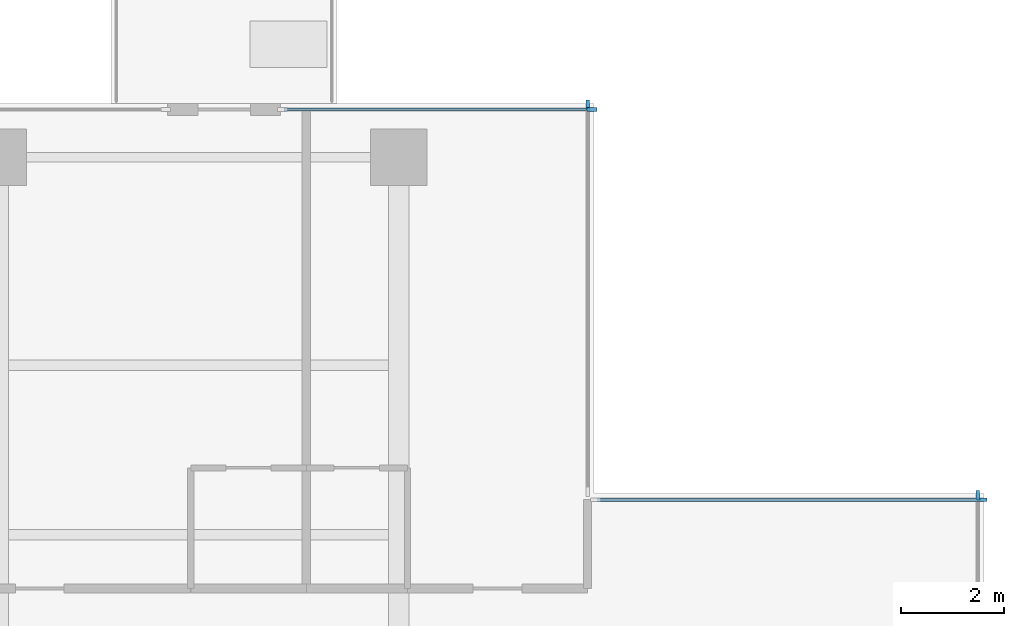
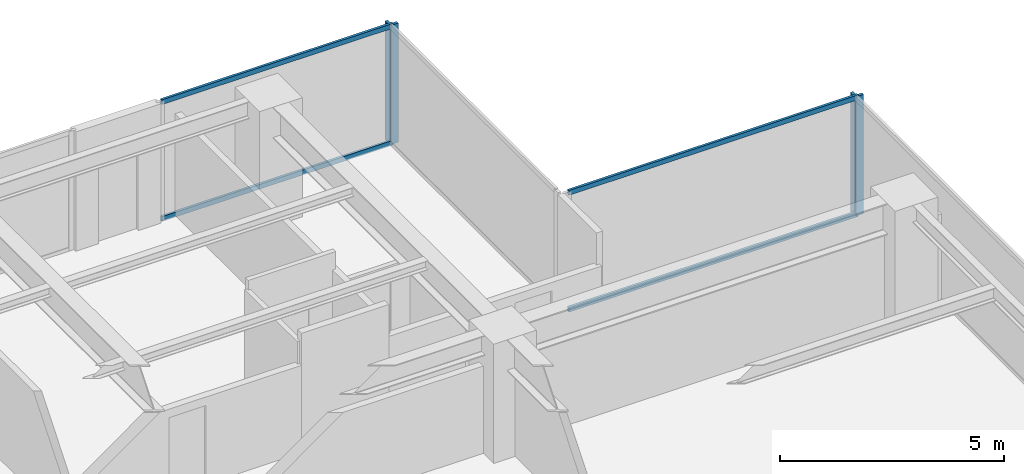
# One storey, part 5 of 15: 8 members, 4 elements without a shape of their own.
"""IFC4 building model written with IfcOpenShell, lengths in metres."""

from ifc_helpers import new_model, si_unit, direction, frame, origin, origin_2d, place, context, subcontext, project, spatial, rectangle, extrude, material, layer, layer_set, material_profile, profile_set, type_object, element, aggregate, save


model = new_model("IFC4")

# Units and contexts
model_context = context("Model", 3, precision=1e-05, world=origin(), true_north=direction((0.0, 1.0)))
body_context = subcontext(model_context, "Body", "Model", "MODEL_VIEW")
ifc_project = project(units=[si_unit("LENGTHUNIT", "METRE"), si_unit("AREAUNIT", "SQUARE_METRE"), si_unit("VOLUMEUNIT", "CUBIC_METRE"), si_unit("PLANEANGLEUNIT", "RADIAN"), si_unit("MASSUNIT", "GRAM", prefix="KILO")], contexts=[model_context])

# Site, building, storey
site_placement = place(None, origin())
site = spatial("IfcSite", under=ifc_project, at=site_placement, CompositionType="ELEMENT")
building_placement = place(site_placement, origin())
building = spatial("IfcBuilding", under=site, at=building_placement, Name="Qalmaran Belvedere Hotel", CompositionType="ELEMENT")
storey_placement = place(building_placement, frame((0.0, 0.0, 173.60009765625)))
storey = spatial("IfcBuildingStorey", under=building, at=storey_placement, Name="L44", CompositionType="ELEMENT", Elevation=173.60009765625)

# Curtain wall, member
ifc_material = material(Name="Anodised Bronze Aluminium", Category="aluminium")
ifc_layer = layer(ifc_material, 0.195068359375, Name="Anodised Bronze Aluminium")
ifc_layer_set = layer_set([ifc_layer], Name="Anodised Bronze Aluminium")
curtain_wall_type = type_object("IfcCurtainWallType", Name="CW4-TOWER-HIGHMID", PredefinedType="NOTDEFINED", material=ifc_layer_set)
curtain_wall_1_placement = place(storey_placement, origin())
curtain_wall_1 = element("IfcCurtainWall", 1, at=curtain_wall_1_placement, inside=storey, type_object=curtain_wall_type, Name="L44 Curtain Wall CW4", PredefinedType="NOTDEFINED")
ifc_material_profile_1 = material_profile(ifc_material, rectangle(XDim=0.070068359375, YDim=0.18994140625, at=origin_2d()), Name="CWM70X190")
ifc_profile_set_1 = profile_set([ifc_material_profile_1], Name="Anodised Bronze Aluminium")
member_type_1 = type_object("IfcMemberType", Name="CWM-70X190", PredefinedType="MULLION", material=ifc_profile_set_1)
member_1_placement = place(storey_placement, frame((56.080078125, 36.864990234375, 0.0), z_axis=(0.0, 0.0, 1.0), x_axis=(-1.0, 0.0, 0.0)))
member_1 = element("IfcMember", 2, at=member_1_placement, type_object=member_type_1, Name="CW4 mullion 4", PredefinedType="MULLION", context=body_context, shape_type="SweptSolid", body=[
    extrude(rectangle(XDim=0.070068359375, YDim=0.18994140625, at=origin_2d()), origin(), (0.0, 0.0, 1.0), 3.25),
])
aggregate(curtain_wall_1, [member_1])

curtain_wall_2_placement = place(storey_placement, origin())
curtain_wall_2 = element("IfcCurtainWall", 3, at=curtain_wall_2_placement, inside=storey, type_object=curtain_wall_type, Name="L44 Curtain Wall CW4", PredefinedType="NOTDEFINED")
member_2_placement = place(storey_placement, frame((56.1650390625, 36.780029296875, 0.0), z_axis=(0.0, 0.0, 1.0), x_axis=(0.0, -1.0, 0.0)))
member_2 = element("IfcMember", 4, at=member_2_placement, type_object=member_type_1, Name="CW4 mullion 1", PredefinedType="MULLION", context=body_context, shape_type="SweptSolid", body=[
    extrude(rectangle(XDim=0.070068359375, YDim=0.18994140625, at=origin_2d()), origin(), (0.0, 0.0, 1.0), 3.25),
])

curtain_wall_3_placement = place(storey_placement, origin())
curtain_wall_3 = element("IfcCurtainWall", 5, at=curtain_wall_3_placement, inside=storey, type_object=curtain_wall_type, Name="L44 Curtain Wall CW4", PredefinedType="NOTDEFINED")
member_3_placement = place(storey_placement, frame((48.47998046875, 44.465087890625, 0.0), z_axis=(0.0, 0.0, 1.0), x_axis=(-1.0, 0.0, 0.0)))
member_3 = element("IfcMember", 6, at=member_3_placement, type_object=member_type_1, Name="CW4 mullion 2", PredefinedType="MULLION", context=body_context, shape_type="SweptSolid", body=[
    extrude(rectangle(XDim=0.070068359375, YDim=0.18994140625, at=origin_2d()), origin(), (0.0, 0.0, 1.0), 3.25),
])
aggregate(curtain_wall_3, [member_3])

curtain_wall_4_placement = place(storey_placement, origin())
curtain_wall_4 = element("IfcCurtainWall", 7, at=curtain_wall_4_placement, inside=storey, type_object=curtain_wall_type, Name="L44 Curtain Wall CW4", PredefinedType="NOTDEFINED")
member_4_placement = place(storey_placement, frame((48.56494140625, 44.3798828125, 0.0), z_axis=(0.0, 0.0, 1.0), x_axis=(0.0, -1.0, 0.0)))
member_4 = element("IfcMember", 8, at=member_4_placement, type_object=member_type_1, Name="CW4 mullion 1", PredefinedType="MULLION", context=body_context, shape_type="SweptSolid", body=[
    extrude(rectangle(XDim=0.070068359375, YDim=0.18994140625, at=origin_2d()), origin(), (0.0, 0.0, 1.0), 3.25),
])

# Member
ifc_material_profile_2 = material_profile(ifc_material, rectangle(XDim=0.06494140625, YDim=0.1298828125, at=origin_2d()), Name="CWT65X130")
ifc_profile_set_2 = profile_set([ifc_material_profile_2], Name="Anodised Bronze Aluminium")
member_type_2 = type_object("IfcMemberType", Name="CWT-65X130", PredefinedType="USERDEFINED", material=ifc_profile_set_2)
member_5_placement = place(storey_placement, frame((56.1298828125, 36.780029296875, 0.032470703125), z_axis=(-1.0, 0.0, 0.0), x_axis=(0.0, -1.0, 0.0)))
member_5 = element("IfcMember", 9, at=member_5_placement, type_object=member_type_2, Name="CW4 transom 1.1", ObjectType="TRANSOM", PredefinedType="USERDEFINED", context=body_context, shape_type="SweptSolid", body=[
    extrude(rectangle(XDim=0.06494140625, YDim=0.1298828125, at=origin_2d()), origin(), (0.0, 0.0, 1.0), 7.4599609375),
])

member_6_placement = place(storey_placement, frame((56.1298828125, 36.780029296875, 3.21728515625), z_axis=(-1.0, 0.0, 0.0), x_axis=(0.0, -1.0, 0.0)))
member_6 = element("IfcMember", 10, at=member_6_placement, type_object=member_type_2, Name="CW4 transom 1.2", ObjectType="TRANSOM", PredefinedType="USERDEFINED", context=body_context, shape_type="SweptSolid", body=[
    extrude(rectangle(XDim=0.06494140625, YDim=0.1298828125, at=origin_2d()), origin(), (0.0, 0.0, 1.0), 7.4599609375),
])

aggregate(curtain_wall_2, [member_2, member_5, member_6])

member_7_placement = place(storey_placement, frame((48.530029296875, 44.3798828125, 0.032470703125), z_axis=(-1.0, 0.0, 0.0), x_axis=(0.0, -1.0, 0.0)))
member_7 = element("IfcMember", 11, at=member_7_placement, type_object=member_type_2, Name="CW4 transom 1.1", ObjectType="TRANSOM", PredefinedType="USERDEFINED", context=body_context, shape_type="SweptSolid", body=[
    extrude(rectangle(XDim=0.06494140625, YDim=0.1298828125, at=origin_2d()), origin(), (0.0, 0.0, 1.0), 5.9599609375),
])

member_8_placement = place(storey_placement, frame((48.530029296875, 44.3798828125, 3.21728515625), z_axis=(-1.0, 0.0, 0.0), x_axis=(0.0, -1.0, 0.0)))
member_8 = element("IfcMember", 12, at=member_8_placement, type_object=member_type_2, Name="CW4 transom 1.2", ObjectType="TRANSOM", PredefinedType="USERDEFINED", context=body_context, shape_type="SweptSolid", body=[
    extrude(rectangle(XDim=0.06494140625, YDim=0.1298828125, at=origin_2d()), origin(), (0.0, 0.0, 1.0), 5.9599609375),
])

aggregate(curtain_wall_4, [member_4, member_7, member_8])

save(model, "model.ifc")
